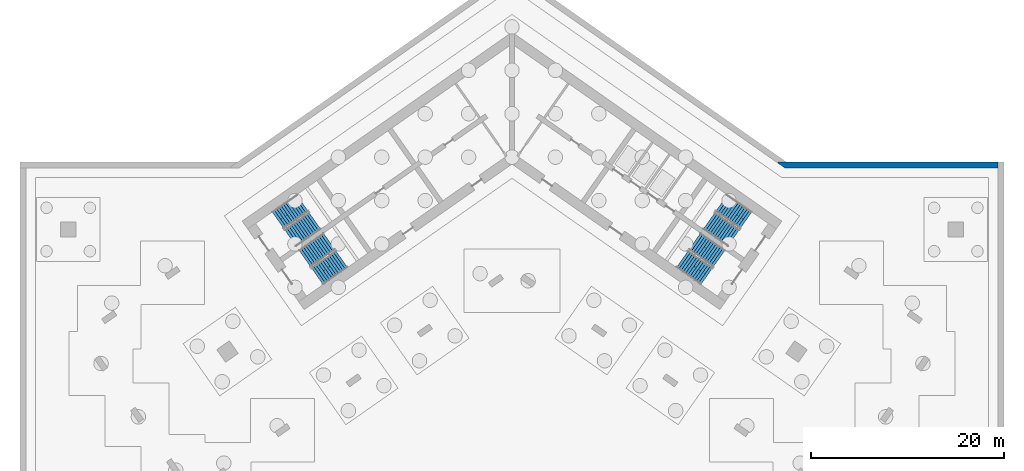
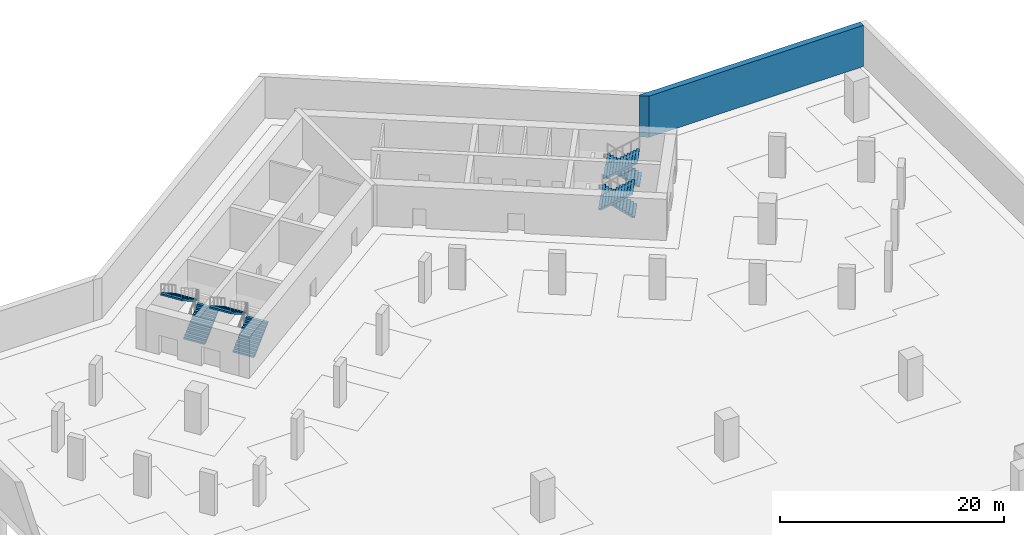
# One storey, part 9 of 13: 8 stair flights, 1 wall, 4 elements without a shape of their own.
"""IFC4 building model written with IfcOpenShell, lengths in metres."""

from ifc_helpers import new_model, si_unit, direction, frame, origin, place, context, subcontext, project, spatial, polyline, outline, extrude, material, layer, layer_set, type_object, element, aggregate, save


model = new_model("IFC4")

# Units and contexts
model_context = context("Model", 3, precision=1e-05, world=origin(), true_north=direction((0.0, 1.0)))
body_context = subcontext(model_context, "Body", "Model", "MODEL_VIEW")
ifc_project = project(units=[si_unit("LENGTHUNIT", "METRE"), si_unit("AREAUNIT", "SQUARE_METRE"), si_unit("VOLUMEUNIT", "CUBIC_METRE"), si_unit("PLANEANGLEUNIT", "RADIAN"), si_unit("MASSUNIT", "GRAM", prefix="KILO")], contexts=[model_context])

# Site, building, storey
site_placement = place(None, origin())
site = spatial("IfcSite", under=ifc_project, at=site_placement, CompositionType="ELEMENT")
building_placement = place(site_placement, origin())
building = spatial("IfcBuilding", under=site, at=building_placement, Name="Tel Ilan Convention Tower", CompositionType="ELEMENT")
storey_placement = place(building_placement, frame((0.0, 0.0, -9.0)))
storey = spatial("IfcBuildingStorey", under=building, at=storey_placement, Name="B2", CompositionType="ELEMENT", Elevation=-9.0)

# Wall
ifc_material_1 = material(Name="Concrete C40/50", Category="concrete")
ifc_layer = layer(ifc_material_1, 0.60009765625)
ifc_layer_set = layer_set([ifc_layer], Name="Basement Retaining Wall 600 mm C40/50")
wall_type = type_object("IfcWallType", Name="Basement Retaining Wall 600 mm C40/50", PredefinedType="SOLIDWALL", material=ifc_layer_set)
wall_placement = place(storey_placement, frame((51.0, -1.300048828125, 0.0), z_axis=(0.0, 0.0, 1.0), x_axis=(-1.0, 0.0, 0.0)))
element("IfcWall", 1, at=wall_placement, inside=storey, type_object=wall_type, Name="B2 retaining wall 3", PredefinedType="SOLIDWALL", context=body_context, shape_type="SweptSolid", body=[
    extrude(outline(polyline([(22.737548828125, 0.300048828125), (23.448486328125, -0.19775390625), (23.448486328125, -0.300048828125), (22.54833984375, -0.300048828125), (0.60009765625, -0.300048828125), (0.60009765625, 0.300048828125), (22.737548828125, 0.300048828125)])), origin(), (0.0, 0.0, 1.0), 4.5),
])

# Stair, stair flights
ifc_material_2 = material(Name="Concrete C40/50", Category="concrete")
stair_type = type_object("IfcStairType", Name="Pressurised Exit Stair 24 risers 188 mm", PredefinedType="HALF_TURN_STAIR", material=ifc_material_2)
stair_1_placement = place(storey_placement, origin())
stair_1 = element("IfcStair", 2, at=stair_1_placement, inside=storey, type_object=stair_type, Name="B2 Pressurised Stair S1", PredefinedType="HALF_TURN_STAIR")
ifc_material_3 = material(Name="Precast Concrete C40/50", Category="concrete")
stair_flight_type = type_object("IfcStairFlightType", Name="Concrete Stair Flight 2100 mm 24 risers 188 mm", PredefinedType="STRAIGHT", material=ifc_material_3)
stair_flight_1_placement = place(storey_placement, frame((-22.9619140625, -8.87548828125, 0.0), z_axis=(0.0, 0.0, 1.0), x_axis=(0.819152044289, 0.573576436351, 0.0)))
stair_flight_1 = element("IfcStairFlight", 3, at=stair_flight_1_placement, type_object=stair_flight_type, Name="S1 flight 1", NumberOfRisers=12, NumberOfTreads=11, PredefinedType="STRAIGHT", RiserHeight=0.1875, TreadLength=0.28, context=body_context, shape_type="SweptSolid", body=[
    extrude(outline(polyline([(0.0, 0.0), (0.0, 0.1875), (0.280029296875, 0.1875), (0.280029296875, 0.375), (0.56005859375, 0.375), (0.56005859375, 0.5625), (0.840087890625, 0.5625), (0.840087890625, 0.75), (1.1201171875, 0.75), (1.1201171875, 0.9375), (1.39990234375, 0.9375), (1.39990234375, 1.125), (1.679931640625, 1.125), (1.679931640625, 1.3125), (1.9599609375, 1.3125), (1.9599609375, 1.5), (2.239990234375, 1.5), (2.239990234375, 1.6875), (2.52001953125, 1.6875), (2.52001953125, 1.875), (2.800048828125, 1.875), (2.800048828125, 2.0625), (3.080078125, 2.0625), (3.080078125, 2.25), (3.080078125, 1.882080078125), (0.26953125, 0.0), (0.0, 0.0)])), frame((0.0, -0.100341796875, 0.0), z_axis=(0.0, -1.0, 0.0), x_axis=(1.0, 0.0, 0.0)), (0.0, 0.0, 1.0), 0.94970703125),
    extrude(outline(polyline([(0.0, 0.0), (0.0, 0.1875), (0.280029296875, 0.1875), (0.280029296875, 0.375), (0.56005859375, 0.375), (0.56005859375, 0.5625), (0.840087890625, 0.5625), (0.840087890625, 0.75), (1.1201171875, 0.75), (1.1201171875, 0.9375), (1.39990234375, 0.9375), (1.39990234375, 1.125), (1.679931640625, 1.125), (1.679931640625, 1.3125), (1.9599609375, 1.3125), (1.9599609375, 1.5), (2.239990234375, 1.5), (2.239990234375, 1.6875), (2.52001953125, 1.6875), (2.52001953125, 1.875), (2.800048828125, 1.875), (2.800048828125, 2.0625), (3.080078125, 2.0625), (3.080078125, 2.25), (3.080078125, 1.882080078125), (0.26953125, 0.0), (0.0, 0.0)])), frame((0.0, -0.000244140625, 0.0), z_axis=(0.0, -1.0, 0.0), x_axis=(1.0, 0.0, 0.0)), (0.0, 0.0, 1.0), 0.099609375),
    extrude(outline(polyline([(0.0, 0.0), (0.0, 0.1875), (0.280029296875, 0.1875), (0.280029296875, 0.375), (0.56005859375, 0.375), (0.56005859375, 0.5625), (0.840087890625, 0.5625), (0.840087890625, 0.75), (1.1201171875, 0.75), (1.1201171875, 0.9375), (1.39990234375, 0.9375), (1.39990234375, 1.125), (1.679931640625, 1.125), (1.679931640625, 1.3125), (1.9599609375, 1.3125), (1.9599609375, 1.5), (2.239990234375, 1.5), (2.239990234375, 1.6875), (2.52001953125, 1.6875), (2.52001953125, 1.875), (2.800048828125, 1.875), (2.800048828125, 2.0625), (3.080078125, 2.0625), (3.080078125, 2.25), (3.080078125, 1.882080078125), (0.26953125, 0.0), (0.0, 0.0)])), frame((0.0, 0.099853515625, 0.0), z_axis=(0.0, -1.0, 0.0), x_axis=(1.0, 0.0, 0.0)), (0.0, 0.0, 1.0), 0.099609375),
    extrude(outline(polyline([(0.0, 0.0), (0.0, 0.1875), (0.280029296875, 0.1875), (0.280029296875, 0.375), (0.56005859375, 0.375), (0.56005859375, 0.5625), (0.840087890625, 0.5625), (0.840087890625, 0.75), (1.1201171875, 0.75), (1.1201171875, 0.9375), (1.39990234375, 0.9375), (1.39990234375, 1.125), (1.679931640625, 1.125), (1.679931640625, 1.3125), (1.9599609375, 1.3125), (1.9599609375, 1.5), (2.239990234375, 1.5), (2.239990234375, 1.6875), (2.52001953125, 1.6875), (2.52001953125, 1.875), (2.800048828125, 1.875), (2.800048828125, 2.0625), (3.080078125, 2.0625), (3.080078125, 2.25), (3.080078125, 1.882080078125), (0.26953125, 0.0), (0.0, 0.0)])), frame((0.0, 1.050048828125, 0.0), z_axis=(0.0, -1.0, 0.0), x_axis=(1.0, 0.0, 0.0)), (0.0, 0.0, 1.0), 0.94970703125),
])
stair_flight_2_placement = place(storey_placement, frame((-21.7294921875, -5.265869140625, 2.25), z_axis=(0.0, 0.0, 1.0), x_axis=(-0.819152044289, -0.573576436351, 0.0)))
stair_flight_2 = element("IfcStairFlight", 4, at=stair_flight_2_placement, type_object=stair_flight_type, Name="S1 flight 2", NumberOfRisers=12, NumberOfTreads=11, PredefinedType="STRAIGHT", RiserHeight=0.1875, TreadLength=0.28, context=body_context, shape_type="SweptSolid", body=[
    extrude(outline(polyline([(0.0, 0.0), (0.0, 0.1875), (0.280029296875, 0.1875), (0.280029296875, 0.375), (0.56005859375, 0.375), (0.56005859375, 0.5625), (0.840087890625, 0.5625), (0.840087890625, 0.75), (1.1201171875, 0.75), (1.1201171875, 0.9375), (1.39990234375, 0.9375), (1.39990234375, 1.125), (1.679931640625, 1.125), (1.679931640625, 1.3125), (1.9599609375, 1.3125), (1.9599609375, 1.5), (2.239990234375, 1.5), (2.239990234375, 1.6875), (2.52001953125, 1.6875), (2.52001953125, 1.875), (2.800048828125, 1.875), (2.800048828125, 2.0625), (3.080078125, 2.0625), (3.080078125, 2.25), (3.080078125, 1.882080078125), (0.26953125, 0.0), (0.0, 0.0)])), frame((0.0, -0.100341796875, 0.0), z_axis=(0.0, -1.0, 0.0), x_axis=(1.0, 0.0, 0.0)), (0.0, 0.0, 1.0), 0.94970703125),
    extrude(outline(polyline([(0.0, 0.0), (0.0, 0.1875), (0.280029296875, 0.1875), (0.280029296875, 0.375), (0.56005859375, 0.375), (0.56005859375, 0.5625), (0.840087890625, 0.5625), (0.840087890625, 0.75), (1.1201171875, 0.75), (1.1201171875, 0.9375), (1.39990234375, 0.9375), (1.39990234375, 1.125), (1.679931640625, 1.125), (1.679931640625, 1.3125), (1.9599609375, 1.3125), (1.9599609375, 1.5), (2.239990234375, 1.5), (2.239990234375, 1.6875), (2.52001953125, 1.6875), (2.52001953125, 1.875), (2.800048828125, 1.875), (2.800048828125, 2.0625), (3.080078125, 2.0625), (3.080078125, 2.25), (3.080078125, 1.882080078125), (0.26953125, 0.0), (0.0, 0.0)])), frame((0.0, -0.000244140625, 0.0), z_axis=(0.0, -1.0, 0.0), x_axis=(1.0, 0.0, 0.0)), (0.0, 0.0, 1.0), 0.099609375),
    extrude(outline(polyline([(0.0, 0.0), (0.0, 0.1875), (0.280029296875, 0.1875), (0.280029296875, 0.375), (0.56005859375, 0.375), (0.56005859375, 0.5625), (0.840087890625, 0.5625), (0.840087890625, 0.75), (1.1201171875, 0.75), (1.1201171875, 0.9375), (1.39990234375, 0.9375), (1.39990234375, 1.125), (1.679931640625, 1.125), (1.679931640625, 1.3125), (1.9599609375, 1.3125), (1.9599609375, 1.5), (2.239990234375, 1.5), (2.239990234375, 1.6875), (2.52001953125, 1.6875), (2.52001953125, 1.875), (2.800048828125, 1.875), (2.800048828125, 2.0625), (3.080078125, 2.0625), (3.080078125, 2.25), (3.080078125, 1.882080078125), (0.26953125, 0.0), (0.0, 0.0)])), frame((0.0, 0.099853515625, 0.0), z_axis=(0.0, -1.0, 0.0), x_axis=(1.0, 0.0, 0.0)), (0.0, 0.0, 1.0), 0.099609375),
    extrude(outline(polyline([(0.0, 0.0), (0.0, 0.1875), (0.280029296875, 0.1875), (0.280029296875, 0.375), (0.56005859375, 0.375), (0.56005859375, 0.5625), (0.840087890625, 0.5625), (0.840087890625, 0.75), (1.1201171875, 0.75), (1.1201171875, 0.9375), (1.39990234375, 0.9375), (1.39990234375, 1.125), (1.679931640625, 1.125), (1.679931640625, 1.3125), (1.9599609375, 1.3125), (1.9599609375, 1.5), (2.239990234375, 1.5), (2.239990234375, 1.6875), (2.52001953125, 1.6875), (2.52001953125, 1.875), (2.800048828125, 1.875), (2.800048828125, 2.0625), (3.080078125, 2.0625), (3.080078125, 2.25), (3.080078125, 1.882080078125), (0.26953125, 0.0), (0.0, 0.0)])), frame((0.0, 1.050048828125, 0.0), z_axis=(0.0, -1.0, 0.0), x_axis=(1.0, 0.0, 0.0)), (0.0, 0.0, 1.0), 0.94970703125),
])
aggregate(stair_1, [stair_flight_1, stair_flight_2])

stair_2_placement = place(storey_placement, origin())
stair_2 = element("IfcStair", 5, at=stair_2_placement, inside=storey, type_object=stair_type, Name="B2 Pressurised Stair S2", PredefinedType="HALF_TURN_STAIR")
stair_flight_3_placement = place(storey_placement, frame((-20.179931640625, -12.848388671875, 0.0), z_axis=(0.0, 0.0, 1.0), x_axis=(0.819152044289, 0.573576436351, 0.0)))
stair_flight_3 = element("IfcStairFlight", 6, at=stair_flight_3_placement, type_object=stair_flight_type, Name="S2 flight 1", NumberOfRisers=12, NumberOfTreads=11, PredefinedType="STRAIGHT", RiserHeight=0.1875, TreadLength=0.28, context=body_context, shape_type="SweptSolid", body=[
    extrude(outline(polyline([(0.0, 0.0), (0.0, 0.1875), (0.280029296875, 0.1875), (0.280029296875, 0.375), (0.56005859375, 0.375), (0.56005859375, 0.5625), (0.840087890625, 0.5625), (0.840087890625, 0.75), (1.1201171875, 0.75), (1.1201171875, 0.9375), (1.39990234375, 0.9375), (1.39990234375, 1.125), (1.679931640625, 1.125), (1.679931640625, 1.3125), (1.9599609375, 1.3125), (1.9599609375, 1.5), (2.239990234375, 1.5), (2.239990234375, 1.6875), (2.52001953125, 1.6875), (2.52001953125, 1.875), (2.800048828125, 1.875), (2.800048828125, 2.0625), (3.080078125, 2.0625), (3.080078125, 2.25), (3.080078125, 1.882080078125), (0.26953125, 0.0), (0.0, 0.0)])), frame((0.0, -0.100341796875, 0.0), z_axis=(0.0, -1.0, 0.0), x_axis=(1.0, 0.0, 0.0)), (0.0, 0.0, 1.0), 0.94970703125),
    extrude(outline(polyline([(0.0, 0.0), (0.0, 0.1875), (0.280029296875, 0.1875), (0.280029296875, 0.375), (0.56005859375, 0.375), (0.56005859375, 0.5625), (0.840087890625, 0.5625), (0.840087890625, 0.75), (1.1201171875, 0.75), (1.1201171875, 0.9375), (1.39990234375, 0.9375), (1.39990234375, 1.125), (1.679931640625, 1.125), (1.679931640625, 1.3125), (1.9599609375, 1.3125), (1.9599609375, 1.5), (2.239990234375, 1.5), (2.239990234375, 1.6875), (2.52001953125, 1.6875), (2.52001953125, 1.875), (2.800048828125, 1.875), (2.800048828125, 2.0625), (3.080078125, 2.0625), (3.080078125, 2.25), (3.080078125, 1.882080078125), (0.26953125, 0.0), (0.0, 0.0)])), frame((0.0, -0.000244140625, 0.0), z_axis=(0.0, -1.0, 0.0), x_axis=(1.0, 0.0, 0.0)), (0.0, 0.0, 1.0), 0.099609375),
    extrude(outline(polyline([(0.0, 0.0), (0.0, 0.1875), (0.280029296875, 0.1875), (0.280029296875, 0.375), (0.56005859375, 0.375), (0.56005859375, 0.5625), (0.840087890625, 0.5625), (0.840087890625, 0.75), (1.1201171875, 0.75), (1.1201171875, 0.9375), (1.39990234375, 0.9375), (1.39990234375, 1.125), (1.679931640625, 1.125), (1.679931640625, 1.3125), (1.9599609375, 1.3125), (1.9599609375, 1.5), (2.239990234375, 1.5), (2.239990234375, 1.6875), (2.52001953125, 1.6875), (2.52001953125, 1.875), (2.800048828125, 1.875), (2.800048828125, 2.0625), (3.080078125, 2.0625), (3.080078125, 2.25), (3.080078125, 1.882080078125), (0.26953125, 0.0), (0.0, 0.0)])), frame((0.0, 0.099853515625, 0.0), z_axis=(0.0, -1.0, 0.0), x_axis=(1.0, 0.0, 0.0)), (0.0, 0.0, 1.0), 0.099609375),
    extrude(outline(polyline([(0.0, 0.0), (0.0, 0.1875), (0.280029296875, 0.1875), (0.280029296875, 0.375), (0.56005859375, 0.375), (0.56005859375, 0.5625), (0.840087890625, 0.5625), (0.840087890625, 0.75), (1.1201171875, 0.75), (1.1201171875, 0.9375), (1.39990234375, 0.9375), (1.39990234375, 1.125), (1.679931640625, 1.125), (1.679931640625, 1.3125), (1.9599609375, 1.3125), (1.9599609375, 1.5), (2.239990234375, 1.5), (2.239990234375, 1.6875), (2.52001953125, 1.6875), (2.52001953125, 1.875), (2.800048828125, 1.875), (2.800048828125, 2.0625), (3.080078125, 2.0625), (3.080078125, 2.25), (3.080078125, 1.882080078125), (0.26953125, 0.0), (0.0, 0.0)])), frame((0.0, 1.050048828125, 0.0), z_axis=(0.0, -1.0, 0.0), x_axis=(1.0, 0.0, 0.0)), (0.0, 0.0, 1.0), 0.94970703125),
])
stair_flight_4_placement = place(storey_placement, frame((-18.947509765625, -9.23876953125, 2.25), z_axis=(0.0, 0.0, 1.0), x_axis=(-0.819152044289, -0.573576436351, 0.0)))
stair_flight_4 = element("IfcStairFlight", 7, at=stair_flight_4_placement, type_object=stair_flight_type, Name="S2 flight 2", NumberOfRisers=12, NumberOfTreads=11, PredefinedType="STRAIGHT", RiserHeight=0.1875, TreadLength=0.28, context=body_context, shape_type="SweptSolid", body=[
    extrude(outline(polyline([(0.0, 0.0), (0.0, 0.1875), (0.280029296875, 0.1875), (0.280029296875, 0.375), (0.56005859375, 0.375), (0.56005859375, 0.5625), (0.840087890625, 0.5625), (0.840087890625, 0.75), (1.1201171875, 0.75), (1.1201171875, 0.9375), (1.39990234375, 0.9375), (1.39990234375, 1.125), (1.679931640625, 1.125), (1.679931640625, 1.3125), (1.9599609375, 1.3125), (1.9599609375, 1.5), (2.239990234375, 1.5), (2.239990234375, 1.6875), (2.52001953125, 1.6875), (2.52001953125, 1.875), (2.800048828125, 1.875), (2.800048828125, 2.0625), (3.080078125, 2.0625), (3.080078125, 2.25), (3.080078125, 1.882080078125), (0.26953125, 0.0), (0.0, 0.0)])), frame((0.0, -0.100341796875, 0.0), z_axis=(0.0, -1.0, 0.0), x_axis=(1.0, 0.0, 0.0)), (0.0, 0.0, 1.0), 0.94970703125),
    extrude(outline(polyline([(0.0, 0.0), (0.0, 0.1875), (0.280029296875, 0.1875), (0.280029296875, 0.375), (0.56005859375, 0.375), (0.56005859375, 0.5625), (0.840087890625, 0.5625), (0.840087890625, 0.75), (1.1201171875, 0.75), (1.1201171875, 0.9375), (1.39990234375, 0.9375), (1.39990234375, 1.125), (1.679931640625, 1.125), (1.679931640625, 1.3125), (1.9599609375, 1.3125), (1.9599609375, 1.5), (2.239990234375, 1.5), (2.239990234375, 1.6875), (2.52001953125, 1.6875), (2.52001953125, 1.875), (2.800048828125, 1.875), (2.800048828125, 2.0625), (3.080078125, 2.0625), (3.080078125, 2.25), (3.080078125, 1.882080078125), (0.26953125, 0.0), (0.0, 0.0)])), frame((0.0, -0.000244140625, 0.0), z_axis=(0.0, -1.0, 0.0), x_axis=(1.0, 0.0, 0.0)), (0.0, 0.0, 1.0), 0.099609375),
    extrude(outline(polyline([(0.0, 0.0), (0.0, 0.1875), (0.280029296875, 0.1875), (0.280029296875, 0.375), (0.56005859375, 0.375), (0.56005859375, 0.5625), (0.840087890625, 0.5625), (0.840087890625, 0.75), (1.1201171875, 0.75), (1.1201171875, 0.9375), (1.39990234375, 0.9375), (1.39990234375, 1.125), (1.679931640625, 1.125), (1.679931640625, 1.3125), (1.9599609375, 1.3125), (1.9599609375, 1.5), (2.239990234375, 1.5), (2.239990234375, 1.6875), (2.52001953125, 1.6875), (2.52001953125, 1.875), (2.800048828125, 1.875), (2.800048828125, 2.0625), (3.080078125, 2.0625), (3.080078125, 2.25), (3.080078125, 1.882080078125), (0.26953125, 0.0), (0.0, 0.0)])), frame((0.0, 0.099853515625, 0.0), z_axis=(0.0, -1.0, 0.0), x_axis=(1.0, 0.0, 0.0)), (0.0, 0.0, 1.0), 0.099609375),
    extrude(outline(polyline([(0.0, 0.0), (0.0, 0.1875), (0.280029296875, 0.1875), (0.280029296875, 0.375), (0.56005859375, 0.375), (0.56005859375, 0.5625), (0.840087890625, 0.5625), (0.840087890625, 0.75), (1.1201171875, 0.75), (1.1201171875, 0.9375), (1.39990234375, 0.9375), (1.39990234375, 1.125), (1.679931640625, 1.125), (1.679931640625, 1.3125), (1.9599609375, 1.3125), (1.9599609375, 1.5), (2.239990234375, 1.5), (2.239990234375, 1.6875), (2.52001953125, 1.6875), (2.52001953125, 1.875), (2.800048828125, 1.875), (2.800048828125, 2.0625), (3.080078125, 2.0625), (3.080078125, 2.25), (3.080078125, 1.882080078125), (0.26953125, 0.0), (0.0, 0.0)])), frame((0.0, 1.050048828125, 0.0), z_axis=(0.0, -1.0, 0.0), x_axis=(1.0, 0.0, 0.0)), (0.0, 0.0, 1.0), 0.94970703125),
])
aggregate(stair_2, [stair_flight_3, stair_flight_4])

stair_3_placement = place(storey_placement, origin())
stair_3 = element("IfcStair", 8, at=stair_3_placement, inside=storey, type_object=stair_type, Name="B2 Pressurised Stair S3", PredefinedType="HALF_TURN_STAIR")
stair_flight_5_placement = place(storey_placement, frame((24.25244140625, -7.032470703125, 0.0), z_axis=(0.0, 0.0, 1.0), x_axis=(-0.819152044289, 0.573576436351, 0.0)))
stair_flight_5 = element("IfcStairFlight", 9, at=stair_flight_5_placement, type_object=stair_flight_type, Name="S3 flight 1", NumberOfRisers=12, NumberOfTreads=11, PredefinedType="STRAIGHT", RiserHeight=0.1875, TreadLength=0.28, context=body_context, shape_type="SweptSolid", body=[
    extrude(outline(polyline([(0.0, 0.0), (0.0, 0.1875), (0.280029296875, 0.1875), (0.280029296875, 0.375), (0.56005859375, 0.375), (0.56005859375, 0.5625), (0.840087890625, 0.5625), (0.840087890625, 0.75), (1.1201171875, 0.75), (1.1201171875, 0.9375), (1.39990234375, 0.9375), (1.39990234375, 1.125), (1.679931640625, 1.125), (1.679931640625, 1.3125), (1.9599609375, 1.3125), (1.9599609375, 1.5), (2.239990234375, 1.5), (2.239990234375, 1.6875), (2.52001953125, 1.6875), (2.52001953125, 1.875), (2.800048828125, 1.875), (2.800048828125, 2.0625), (3.080078125, 2.0625), (3.080078125, 2.25), (3.080078125, 1.882080078125), (0.26953125, 0.0), (0.0, 0.0)])), frame((0.0, -0.100341796875, 0.0), z_axis=(0.0, -1.0, 0.0), x_axis=(1.0, 0.0, 0.0)), (0.0, 0.0, 1.0), 0.94970703125),
    extrude(outline(polyline([(0.0, 0.0), (0.0, 0.1875), (0.280029296875, 0.1875), (0.280029296875, 0.375), (0.56005859375, 0.375), (0.56005859375, 0.5625), (0.840087890625, 0.5625), (0.840087890625, 0.75), (1.1201171875, 0.75), (1.1201171875, 0.9375), (1.39990234375, 0.9375), (1.39990234375, 1.125), (1.679931640625, 1.125), (1.679931640625, 1.3125), (1.9599609375, 1.3125), (1.9599609375, 1.5), (2.239990234375, 1.5), (2.239990234375, 1.6875), (2.52001953125, 1.6875), (2.52001953125, 1.875), (2.800048828125, 1.875), (2.800048828125, 2.0625), (3.080078125, 2.0625), (3.080078125, 2.25), (3.080078125, 1.882080078125), (0.26953125, 0.0), (0.0, 0.0)])), frame((0.0, -0.000244140625, 0.0), z_axis=(0.0, -1.0, 0.0), x_axis=(1.0, 0.0, 0.0)), (0.0, 0.0, 1.0), 0.099609375),
    extrude(outline(polyline([(0.0, 0.0), (0.0, 0.1875), (0.280029296875, 0.1875), (0.280029296875, 0.375), (0.56005859375, 0.375), (0.56005859375, 0.5625), (0.840087890625, 0.5625), (0.840087890625, 0.75), (1.1201171875, 0.75), (1.1201171875, 0.9375), (1.39990234375, 0.9375), (1.39990234375, 1.125), (1.679931640625, 1.125), (1.679931640625, 1.3125), (1.9599609375, 1.3125), (1.9599609375, 1.5), (2.239990234375, 1.5), (2.239990234375, 1.6875), (2.52001953125, 1.6875), (2.52001953125, 1.875), (2.800048828125, 1.875), (2.800048828125, 2.0625), (3.080078125, 2.0625), (3.080078125, 2.25), (3.080078125, 1.882080078125), (0.26953125, 0.0), (0.0, 0.0)])), frame((0.0, 0.099853515625, 0.0), z_axis=(0.0, -1.0, 0.0), x_axis=(1.0, 0.0, 0.0)), (0.0, 0.0, 1.0), 0.099609375),
    extrude(outline(polyline([(0.0, 0.0), (0.0, 0.1875), (0.280029296875, 0.1875), (0.280029296875, 0.375), (0.56005859375, 0.375), (0.56005859375, 0.5625), (0.840087890625, 0.5625), (0.840087890625, 0.75), (1.1201171875, 0.75), (1.1201171875, 0.9375), (1.39990234375, 0.9375), (1.39990234375, 1.125), (1.679931640625, 1.125), (1.679931640625, 1.3125), (1.9599609375, 1.3125), (1.9599609375, 1.5), (2.239990234375, 1.5), (2.239990234375, 1.6875), (2.52001953125, 1.6875), (2.52001953125, 1.875), (2.800048828125, 1.875), (2.800048828125, 2.0625), (3.080078125, 2.0625), (3.080078125, 2.25), (3.080078125, 1.882080078125), (0.26953125, 0.0), (0.0, 0.0)])), frame((0.0, 1.050048828125, 0.0), z_axis=(0.0, -1.0, 0.0), x_axis=(1.0, 0.0, 0.0)), (0.0, 0.0, 1.0), 0.94970703125),
])
stair_flight_6_placement = place(storey_placement, frame((20.43896484375, -7.10888671875, 2.25), z_axis=(0.0, 0.0, 1.0), x_axis=(0.819152044289, -0.573576436351, 0.0)))
stair_flight_6 = element("IfcStairFlight", 10, at=stair_flight_6_placement, type_object=stair_flight_type, Name="S3 flight 2", NumberOfRisers=12, NumberOfTreads=11, PredefinedType="STRAIGHT", RiserHeight=0.1875, TreadLength=0.28, context=body_context, shape_type="SweptSolid", body=[
    extrude(outline(polyline([(0.0, 0.0), (0.0, 0.1875), (0.280029296875, 0.1875), (0.280029296875, 0.375), (0.56005859375, 0.375), (0.56005859375, 0.5625), (0.840087890625, 0.5625), (0.840087890625, 0.75), (1.1201171875, 0.75), (1.1201171875, 0.9375), (1.39990234375, 0.9375), (1.39990234375, 1.125), (1.679931640625, 1.125), (1.679931640625, 1.3125), (1.9599609375, 1.3125), (1.9599609375, 1.5), (2.239990234375, 1.5), (2.239990234375, 1.6875), (2.52001953125, 1.6875), (2.52001953125, 1.875), (2.800048828125, 1.875), (2.800048828125, 2.0625), (3.080078125, 2.0625), (3.080078125, 2.25), (3.080078125, 1.882080078125), (0.26953125, 0.0), (0.0, 0.0)])), frame((0.0, -0.100341796875, 0.0), z_axis=(0.0, -1.0, 0.0), x_axis=(1.0, 0.0, 0.0)), (0.0, 0.0, 1.0), 0.94970703125),
    extrude(outline(polyline([(0.0, 0.0), (0.0, 0.1875), (0.280029296875, 0.1875), (0.280029296875, 0.375), (0.56005859375, 0.375), (0.56005859375, 0.5625), (0.840087890625, 0.5625), (0.840087890625, 0.75), (1.1201171875, 0.75), (1.1201171875, 0.9375), (1.39990234375, 0.9375), (1.39990234375, 1.125), (1.679931640625, 1.125), (1.679931640625, 1.3125), (1.9599609375, 1.3125), (1.9599609375, 1.5), (2.239990234375, 1.5), (2.239990234375, 1.6875), (2.52001953125, 1.6875), (2.52001953125, 1.875), (2.800048828125, 1.875), (2.800048828125, 2.0625), (3.080078125, 2.0625), (3.080078125, 2.25), (3.080078125, 1.882080078125), (0.26953125, 0.0), (0.0, 0.0)])), frame((0.0, -0.000244140625, 0.0), z_axis=(0.0, -1.0, 0.0), x_axis=(1.0, 0.0, 0.0)), (0.0, 0.0, 1.0), 0.099609375),
    extrude(outline(polyline([(0.0, 0.0), (0.0, 0.1875), (0.280029296875, 0.1875), (0.280029296875, 0.375), (0.56005859375, 0.375), (0.56005859375, 0.5625), (0.840087890625, 0.5625), (0.840087890625, 0.75), (1.1201171875, 0.75), (1.1201171875, 0.9375), (1.39990234375, 0.9375), (1.39990234375, 1.125), (1.679931640625, 1.125), (1.679931640625, 1.3125), (1.9599609375, 1.3125), (1.9599609375, 1.5), (2.239990234375, 1.5), (2.239990234375, 1.6875), (2.52001953125, 1.6875), (2.52001953125, 1.875), (2.800048828125, 1.875), (2.800048828125, 2.0625), (3.080078125, 2.0625), (3.080078125, 2.25), (3.080078125, 1.882080078125), (0.26953125, 0.0), (0.0, 0.0)])), frame((0.0, 0.099853515625, 0.0), z_axis=(0.0, -1.0, 0.0), x_axis=(1.0, 0.0, 0.0)), (0.0, 0.0, 1.0), 0.099609375),
    extrude(outline(polyline([(0.0, 0.0), (0.0, 0.1875), (0.280029296875, 0.1875), (0.280029296875, 0.375), (0.56005859375, 0.375), (0.56005859375, 0.5625), (0.840087890625, 0.5625), (0.840087890625, 0.75), (1.1201171875, 0.75), (1.1201171875, 0.9375), (1.39990234375, 0.9375), (1.39990234375, 1.125), (1.679931640625, 1.125), (1.679931640625, 1.3125), (1.9599609375, 1.3125), (1.9599609375, 1.5), (2.239990234375, 1.5), (2.239990234375, 1.6875), (2.52001953125, 1.6875), (2.52001953125, 1.875), (2.800048828125, 1.875), (2.800048828125, 2.0625), (3.080078125, 2.0625), (3.080078125, 2.25), (3.080078125, 1.882080078125), (0.26953125, 0.0), (0.0, 0.0)])), frame((0.0, 1.050048828125, 0.0), z_axis=(0.0, -1.0, 0.0), x_axis=(1.0, 0.0, 0.0)), (0.0, 0.0, 1.0), 0.94970703125),
])
aggregate(stair_3, [stair_flight_5, stair_flight_6])

stair_4_placement = place(storey_placement, origin())
stair_4 = element("IfcStair", 11, at=stair_4_placement, inside=storey, type_object=stair_type, Name="B2 Pressurised Stair S4", PredefinedType="HALF_TURN_STAIR")
stair_flight_7_placement = place(storey_placement, frame((21.470458984375, -11.00537109375, 0.0), z_axis=(0.0, 0.0, 1.0), x_axis=(-0.819152044289, 0.573576436351, 0.0)))
stair_flight_7 = element("IfcStairFlight", 12, at=stair_flight_7_placement, type_object=stair_flight_type, Name="S4 flight 1", NumberOfRisers=12, NumberOfTreads=11, PredefinedType="STRAIGHT", RiserHeight=0.1875, TreadLength=0.28, context=body_context, shape_type="SweptSolid", body=[
    extrude(outline(polyline([(0.0, 0.0), (0.0, 0.1875), (0.280029296875, 0.1875), (0.280029296875, 0.375), (0.56005859375, 0.375), (0.56005859375, 0.5625), (0.840087890625, 0.5625), (0.840087890625, 0.75), (1.1201171875, 0.75), (1.1201171875, 0.9375), (1.39990234375, 0.9375), (1.39990234375, 1.125), (1.679931640625, 1.125), (1.679931640625, 1.3125), (1.9599609375, 1.3125), (1.9599609375, 1.5), (2.239990234375, 1.5), (2.239990234375, 1.6875), (2.52001953125, 1.6875), (2.52001953125, 1.875), (2.800048828125, 1.875), (2.800048828125, 2.0625), (3.080078125, 2.0625), (3.080078125, 2.25), (3.080078125, 1.882080078125), (0.26953125, 0.0), (0.0, 0.0)])), frame((0.0, -0.100341796875, 0.0), z_axis=(0.0, -1.0, 0.0), x_axis=(1.0, 0.0, 0.0)), (0.0, 0.0, 1.0), 0.94970703125),
    extrude(outline(polyline([(0.0, 0.0), (0.0, 0.1875), (0.280029296875, 0.1875), (0.280029296875, 0.375), (0.56005859375, 0.375), (0.56005859375, 0.5625), (0.840087890625, 0.5625), (0.840087890625, 0.75), (1.1201171875, 0.75), (1.1201171875, 0.9375), (1.39990234375, 0.9375), (1.39990234375, 1.125), (1.679931640625, 1.125), (1.679931640625, 1.3125), (1.9599609375, 1.3125), (1.9599609375, 1.5), (2.239990234375, 1.5), (2.239990234375, 1.6875), (2.52001953125, 1.6875), (2.52001953125, 1.875), (2.800048828125, 1.875), (2.800048828125, 2.0625), (3.080078125, 2.0625), (3.080078125, 2.25), (3.080078125, 1.882080078125), (0.26953125, 0.0), (0.0, 0.0)])), frame((0.0, -0.000244140625, 0.0), z_axis=(0.0, -1.0, 0.0), x_axis=(1.0, 0.0, 0.0)), (0.0, 0.0, 1.0), 0.099609375),
    extrude(outline(polyline([(0.0, 0.0), (0.0, 0.1875), (0.280029296875, 0.1875), (0.280029296875, 0.375), (0.56005859375, 0.375), (0.56005859375, 0.5625), (0.840087890625, 0.5625), (0.840087890625, 0.75), (1.1201171875, 0.75), (1.1201171875, 0.9375), (1.39990234375, 0.9375), (1.39990234375, 1.125), (1.679931640625, 1.125), (1.679931640625, 1.3125), (1.9599609375, 1.3125), (1.9599609375, 1.5), (2.239990234375, 1.5), (2.239990234375, 1.6875), (2.52001953125, 1.6875), (2.52001953125, 1.875), (2.800048828125, 1.875), (2.800048828125, 2.0625), (3.080078125, 2.0625), (3.080078125, 2.25), (3.080078125, 1.882080078125), (0.26953125, 0.0), (0.0, 0.0)])), frame((0.0, 0.099853515625, 0.0), z_axis=(0.0, -1.0, 0.0), x_axis=(1.0, 0.0, 0.0)), (0.0, 0.0, 1.0), 0.099609375),
    extrude(outline(polyline([(0.0, 0.0), (0.0, 0.1875), (0.280029296875, 0.1875), (0.280029296875, 0.375), (0.56005859375, 0.375), (0.56005859375, 0.5625), (0.840087890625, 0.5625), (0.840087890625, 0.75), (1.1201171875, 0.75), (1.1201171875, 0.9375), (1.39990234375, 0.9375), (1.39990234375, 1.125), (1.679931640625, 1.125), (1.679931640625, 1.3125), (1.9599609375, 1.3125), (1.9599609375, 1.5), (2.239990234375, 1.5), (2.239990234375, 1.6875), (2.52001953125, 1.6875), (2.52001953125, 1.875), (2.800048828125, 1.875), (2.800048828125, 2.0625), (3.080078125, 2.0625), (3.080078125, 2.25), (3.080078125, 1.882080078125), (0.26953125, 0.0), (0.0, 0.0)])), frame((0.0, 1.050048828125, 0.0), z_axis=(0.0, -1.0, 0.0), x_axis=(1.0, 0.0, 0.0)), (0.0, 0.0, 1.0), 0.94970703125),
])
stair_flight_8_placement = place(storey_placement, frame((17.656982421875, -11.081787109375, 2.25), z_axis=(0.0, 0.0, 1.0), x_axis=(0.819152044289, -0.573576436351, 0.0)))
stair_flight_8 = element("IfcStairFlight", 13, at=stair_flight_8_placement, type_object=stair_flight_type, Name="S4 flight 2", NumberOfRisers=12, NumberOfTreads=11, PredefinedType="STRAIGHT", RiserHeight=0.1875, TreadLength=0.28, context=body_context, shape_type="SweptSolid", body=[
    extrude(outline(polyline([(0.0, 0.0), (0.0, 0.1875), (0.280029296875, 0.1875), (0.280029296875, 0.375), (0.56005859375, 0.375), (0.56005859375, 0.5625), (0.840087890625, 0.5625), (0.840087890625, 0.75), (1.1201171875, 0.75), (1.1201171875, 0.9375), (1.39990234375, 0.9375), (1.39990234375, 1.125), (1.679931640625, 1.125), (1.679931640625, 1.3125), (1.9599609375, 1.3125), (1.9599609375, 1.5), (2.239990234375, 1.5), (2.239990234375, 1.6875), (2.52001953125, 1.6875), (2.52001953125, 1.875), (2.800048828125, 1.875), (2.800048828125, 2.0625), (3.080078125, 2.0625), (3.080078125, 2.25), (3.080078125, 1.882080078125), (0.26953125, 0.0), (0.0, 0.0)])), frame((0.0, -0.100341796875, 0.0), z_axis=(0.0, -1.0, 0.0), x_axis=(1.0, 0.0, 0.0)), (0.0, 0.0, 1.0), 0.94970703125),
    extrude(outline(polyline([(0.0, 0.0), (0.0, 0.1875), (0.280029296875, 0.1875), (0.280029296875, 0.375), (0.56005859375, 0.375), (0.56005859375, 0.5625), (0.840087890625, 0.5625), (0.840087890625, 0.75), (1.1201171875, 0.75), (1.1201171875, 0.9375), (1.39990234375, 0.9375), (1.39990234375, 1.125), (1.679931640625, 1.125), (1.679931640625, 1.3125), (1.9599609375, 1.3125), (1.9599609375, 1.5), (2.239990234375, 1.5), (2.239990234375, 1.6875), (2.52001953125, 1.6875), (2.52001953125, 1.875), (2.800048828125, 1.875), (2.800048828125, 2.0625), (3.080078125, 2.0625), (3.080078125, 2.25), (3.080078125, 1.882080078125), (0.26953125, 0.0), (0.0, 0.0)])), frame((0.0, -0.000244140625, 0.0), z_axis=(0.0, -1.0, 0.0), x_axis=(1.0, 0.0, 0.0)), (0.0, 0.0, 1.0), 0.099609375),
    extrude(outline(polyline([(0.0, 0.0), (0.0, 0.1875), (0.280029296875, 0.1875), (0.280029296875, 0.375), (0.56005859375, 0.375), (0.56005859375, 0.5625), (0.840087890625, 0.5625), (0.840087890625, 0.75), (1.1201171875, 0.75), (1.1201171875, 0.9375), (1.39990234375, 0.9375), (1.39990234375, 1.125), (1.679931640625, 1.125), (1.679931640625, 1.3125), (1.9599609375, 1.3125), (1.9599609375, 1.5), (2.239990234375, 1.5), (2.239990234375, 1.6875), (2.52001953125, 1.6875), (2.52001953125, 1.875), (2.800048828125, 1.875), (2.800048828125, 2.0625), (3.080078125, 2.0625), (3.080078125, 2.25), (3.080078125, 1.882080078125), (0.26953125, 0.0), (0.0, 0.0)])), frame((0.0, 0.099853515625, 0.0), z_axis=(0.0, -1.0, 0.0), x_axis=(1.0, 0.0, 0.0)), (0.0, 0.0, 1.0), 0.099609375),
    extrude(outline(polyline([(0.0, 0.0), (0.0, 0.1875), (0.280029296875, 0.1875), (0.280029296875, 0.375), (0.56005859375, 0.375), (0.56005859375, 0.5625), (0.840087890625, 0.5625), (0.840087890625, 0.75), (1.1201171875, 0.75), (1.1201171875, 0.9375), (1.39990234375, 0.9375), (1.39990234375, 1.125), (1.679931640625, 1.125), (1.679931640625, 1.3125), (1.9599609375, 1.3125), (1.9599609375, 1.5), (2.239990234375, 1.5), (2.239990234375, 1.6875), (2.52001953125, 1.6875), (2.52001953125, 1.875), (2.800048828125, 1.875), (2.800048828125, 2.0625), (3.080078125, 2.0625), (3.080078125, 2.25), (3.080078125, 1.882080078125), (0.26953125, 0.0), (0.0, 0.0)])), frame((0.0, 1.050048828125, 0.0), z_axis=(0.0, -1.0, 0.0), x_axis=(1.0, 0.0, 0.0)), (0.0, 0.0, 1.0), 0.94970703125),
])
aggregate(stair_4, [stair_flight_7, stair_flight_8])

save(model, "model.ifc")
